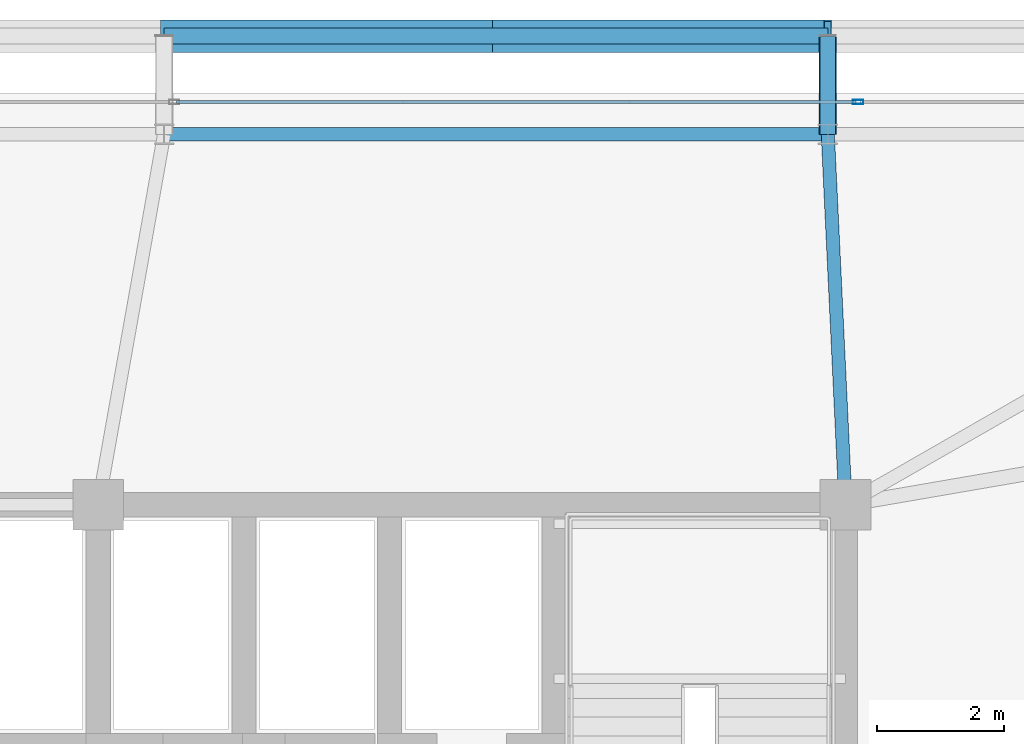
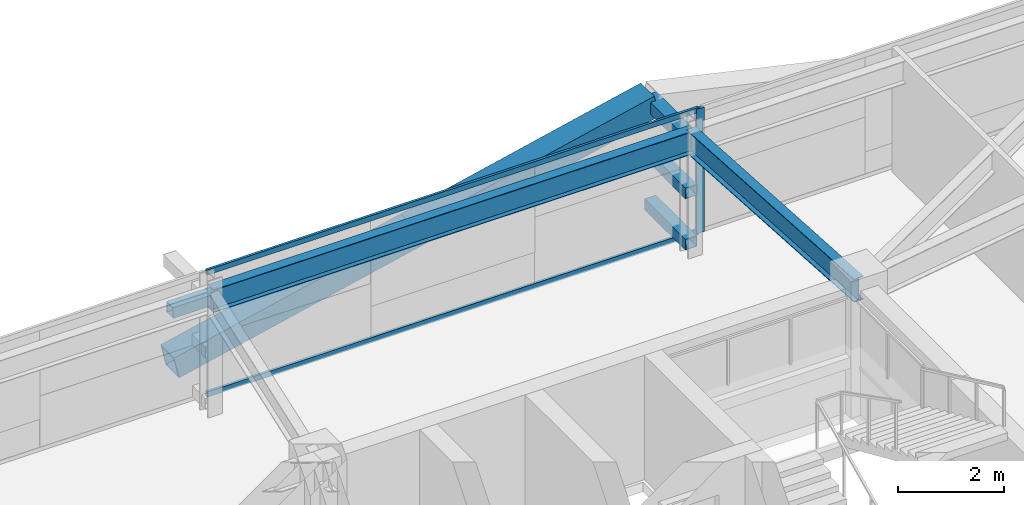
# One storey, part 26 of 45: 9 members, 2 beams, 1 element without a shape of its own.
"""IFC4 building model written with IfcOpenShell, lengths in metres."""

from ifc_helpers import new_model, si_unit, direction, frame, origin, origin_2d, place, context, subcontext, project, spatial, hollow_rectangle, i_section, extrude, source, transform, mapped, material, layer, layer_set, material_profile, profile_set, type_object, element, aggregate, save


model = new_model("IFC4")

# Units and contexts
model_context = context("Model", 3, precision=1e-05, world=origin(), true_north=direction((0.0, 1.0)))
body_context = subcontext(model_context, "Body", "Model", "MODEL_VIEW")
ifc_project = project(units=[si_unit("LENGTHUNIT", "METRE"), si_unit("AREAUNIT", "SQUARE_METRE"), si_unit("VOLUMEUNIT", "CUBIC_METRE"), si_unit("PLANEANGLEUNIT", "RADIAN"), si_unit("MASSUNIT", "GRAM", prefix="KILO")], contexts=[model_context])

# Site, building, storey
site_placement = place(None, origin())
site = spatial("IfcSite", under=ifc_project, at=site_placement, CompositionType="ELEMENT")
building_placement = place(site_placement, origin())
building = spatial("IfcBuilding", under=site, at=building_placement, Name="Taldren Reach Tower", CompositionType="ELEMENT")
storey_placement = place(building_placement, frame((0.0, 0.0, 57.75)))
storey = spatial("IfcBuildingStorey", under=building, at=storey_placement, Name="L17", CompositionType="ELEMENT", Elevation=57.75)

# Beams
ifc_material_1 = material(Name="Steel Gr 350 (350PLUS)", Category="steel")
ifc_material_profile_1 = material_profile(ifc_material_1, i_section(OverallWidth=0.208984375, OverallDepth=0.528076171875, WebThickness=0.009521484375, FlangeThickness=0.01318359375, at=origin_2d()), Name="530UB82.0")
ifc_profile_set_1 = profile_set([ifc_material_profile_1], Name="Steel Gr 350 (350PLUS)")
beam_type_1 = type_object("IfcBeamType", Name="SP-UB530B", PredefinedType="SPANDREL", material=ifc_profile_set_1)
shared_shape_1 = source(origin(), body_context, "Body", "SweptSolid", [
    extrude(i_section(OverallWidth=0.208984375, OverallDepth=0.528076171875, WebThickness=0.009521484375, FlangeThickness=0.01318359375, at=origin_2d()), origin(), (0.0, 0.0, 1.0), 10.47998046875),
])
beam_1_placement = place(storey_placement, frame((50.719970703125, 37.85009765625, 2.60595703125), z_axis=(-1.0, 0.0, 0.0), x_axis=(0.0, -1.0, 0.0)))
element("IfcBeam", 1, at=beam_1_placement, inside=storey, type_object=beam_type_1, Name="Perimeter spandrel B1 N5-N4 L17", PredefinedType="SPANDREL", context=body_context, shape_type="MappedRepresentation", body=[
    mapped(shared_shape_1, transform((0.0, 0.0, 0.0), scale=1.0)),
])
ifc_material_profile_2 = material_profile(ifc_material_1, i_section(OverallWidth=0.208984375, OverallDepth=0.532958984375, WebThickness=0.01025390625, FlangeThickness=0.015625, at=origin_2d()), Name="530UB92.4")
ifc_profile_set_2 = profile_set([ifc_material_profile_2], Name="Steel Gr 350 (350PLUS)")
beam_type_2 = type_object("IfcBeamType", Name="BM-UB530A", PredefinedType="BEAM", material=ifc_profile_set_2)
shared_shape_2 = source(origin(), body_context, "Body", "SweptSolid", [
    extrude(i_section(OverallWidth=0.208984375, OverallDepth=0.532958984375, WebThickness=0.01025390625, FlangeThickness=0.015625, at=origin_2d()), origin(), (0.0, 0.0, 1.0), 5.856689453125),
])
beam_2_placement = place(storey_placement, frame((51.0, 32.0, 2.603515625), z_axis=(-0.047812711672, 0.998856318297, 0.0), x_axis=(-0.998856318297, -0.047812711672, 0.0)))
element("IfcBeam", 2, at=beam_2_placement, inside=storey, type_object=beam_type_2, Name="Primary floor girder B1-N5 L17", PredefinedType="BEAM", context=body_context, shape_type="MappedRepresentation", body=[
    mapped(shared_shape_2, transform((0.0, 0.0, 0.0), scale=1.0)),
])

# Members
ifc_material_2 = material(Name="Steel Gr 450 (C450L0)", Category="steel")
ifc_material_profile_3 = material_profile(ifc_material_2, hollow_rectangle(XDim=0.27490234375, YDim=0.27490234375, WallThickness=0.00927734375, at=origin_2d()), Name="275x275x9.3SHS")
ifc_profile_set_3 = profile_set([ifc_material_profile_3], Name="Steel Gr 450 (C450L0)")
member_type_1 = type_object("IfcMemberType", Name="MB-TIE273", PredefinedType="STRUT", material=ifc_profile_set_3)
shared_shape_3 = source(origin(), body_context, "Body", "SweptSolid", [
    extrude(hollow_rectangle(XDim=0.27490234375, YDim=0.27490234375, WallThickness=0.00927734375, at=origin_2d()), origin(), (0.0, 0.0, 1.0), 1.5498046875),
])
member_1_placement = place(storey_placement, frame((50.719970703125, 37.85009765625, 2.590087890625), z_axis=(0.0, 1.0, 0.0), x_axis=(-1.0, 0.0, 0.0)))
element("IfcMember", 3, at=member_1_placement, inside=storey, type_object=member_type_1, Name="Exoskeleton diaphragm tie strut B1-N5 L17", PredefinedType="STRUT", context=body_context, shape_type="MappedRepresentation", body=[
    mapped(shared_shape_3, transform((0.0, 0.0, 0.0), scale=1.0)),
])
ifc_material_3 = material(Name="Steel Gr 350 (C350L0)", Category="steel")
ifc_material_profile_4 = material_profile(ifc_material_3, hollow_rectangle(XDim=0.25, YDim=0.25, WallThickness=0.010009765625, at=origin_2d()), Name="250x250x10.0SHS")
ifc_profile_set_4 = profile_set([ifc_material_profile_4], Name="Steel Gr 350 (C350L0)")
member_type_2 = type_object("IfcMemberType", Name="MB-POST250", PredefinedType="POST", material=ifc_profile_set_4)
shared_shape_4 = source(origin(), body_context, "Body", "SweptSolid", [
    extrude(hollow_rectangle(XDim=0.25, YDim=0.25, WallThickness=0.010009765625, at=origin_2d()), origin(), (0.0, 0.0, 1.0), 10.47998046875),
])
member_2_placement = place(storey_placement, frame((40.239990234375, 39.39990234375, 1.405029296875), z_axis=(1.0, 0.0, 0.0), x_axis=(0.0, 1.0, 0.0)))
element("IfcMember", 4, at=member_2_placement, inside=storey, type_object=member_type_2, Name="Exoskeleton mid-height ring chord B1-N4 L17", PredefinedType="POST", context=body_context, shape_type="MappedRepresentation", body=[
    mapped(shared_shape_4, transform((0.0, 0.0, 0.0), scale=1.0)),
])
shared_shape_5 = source(origin(), body_context, "Body", "SweptSolid", [
    extrude(hollow_rectangle(XDim=0.25, YDim=0.25, WallThickness=0.010009765625, at=origin_2d()), origin(), (0.0, 0.0, 1.0), 1.5498046875),
])
for number, where, z_axis, x_axis, name in (
    (5, (50.719970703125, 37.85009765625, 0.219970703125), (0.0, 1.0, 0.0), (-1.0, 0.0, 0.0), "Exoskeleton base diaphragm tie strut B1-N5 L17"),
    (6, (50.719970703125, 37.85009765625, 1.405029296875), (0.0, 1.0, 0.0), (-1.0, 0.0, 0.0), "Exoskeleton mid-tier diaphragm tie B1-N5 L17"),
):
    element("IfcMember", number, at=place(storey_placement, frame(where, z_axis=z_axis, x_axis=x_axis)), inside=storey, type_object=member_type_2, Name=name, PredefinedType="POST", context=body_context, shape_type="MappedRepresentation", body=[
        mapped(shared_shape_5, transform((0.0, 0.0, 0.0), scale=1.0)),
    ])
ifc_material_profile_5 = material_profile(ifc_material_2, hollow_rectangle(XDim=0.510009765625, YDim=0.510009765625, WallThickness=0.02001953125, at=origin_2d()), Name="510x510x20.0SHS")
ifc_profile_set_5 = profile_set([ifc_material_profile_5], Name="Steel Gr 450 (C450L0)")
member_type_3 = type_object("IfcMemberType", Name="MB-EXO508", PredefinedType="BRACE", material=ifc_profile_set_5)
shared_shape_6 = source(origin(), body_context, "Body", "SweptSolid", [
    extrude(hollow_rectangle(XDim=0.510009765625, YDim=0.510009765625, WallThickness=0.02001953125, at=origin_2d()), origin(), (0.0, 0.0, 1.0), 5.372314453125),
])
for number, where, z_axis, x_axis, name in (
    (7, (40.239990234375, 39.39990234375, 0.219970703125), (0.975367562392, 0.0, 0.220585852297), (0.0, 1.0, 0.0), "Exoskeleton Diagrid Brace B1-N4 L17"),
    (8, (45.47998046875, 39.39990234375, 1.405029296875), (0.975367562392, 0.0, 0.220585852297), (0.0, 1.0, 0.0), "Exoskeleton Diagrid Brace B1-N4 L17"),
):
    element("IfcMember", number, at=place(storey_placement, frame(where, z_axis=z_axis, x_axis=x_axis)), inside=storey, type_object=member_type_3, Name=name, PredefinedType="BRACE", context=body_context, shape_type="MappedRepresentation", body=[
        mapped(shared_shape_6, transform((0.0, 0.0, 0.0), scale=1.0)),
    ])

# Curtain wall, members
ifc_material_4 = material(Name="Aluminium and Low-E Glass Unitised System", Category="aluminium")
ifc_layer = layer(ifc_material_4, 0.159912109375)
ifc_layer_set = layer_set([ifc_layer], Name="Aluminium and Low-E Glass Unitised System")
curtain_wall_type = type_object("IfcCurtainWallType", Name="CW-SYS-2", PredefinedType="NOTDEFINED", material=ifc_layer_set)
curtain_wall_placement = place(storey_placement, origin())
curtain_wall = element("IfcCurtainWall", 9, at=curtain_wall_placement, inside=storey, type_object=curtain_wall_type, Name="Unitised curtain wall CW-L17-N", PredefinedType="NOTDEFINED")
ifc_material_5 = material(Name="Anodised Aluminium 6063-T6", Category="aluminium")
ifc_material_profile_6 = material_profile(ifc_material_5, hollow_rectangle(XDim=0.054931640625, YDim=0.1201171875, WallThickness=0.0029296875, at=origin_2d()), Name="ALU-120x55x3RHS")
ifc_profile_set_6 = profile_set([ifc_material_profile_6], Name="Anodised Aluminium 6063-T6")
member_type_4 = type_object("IfcMemberType", Name="CW-TRN-135", PredefinedType="USERDEFINED", material=ifc_profile_set_6)
shared_shape_7 = source(origin(), body_context, "Body", "SweptSolid", [
    extrude(hollow_rectangle(XDim=0.054931640625, YDim=0.1201171875, WallThickness=0.0029296875, at=origin_2d()), origin(), (0.0, 0.0, 1.0), 10.73486328125),
])
member_3_placement = place(storey_placement, frame((51.16748046875, 38.360107421875, 0.027587890625), z_axis=(-1.0, 0.0, 0.0), x_axis=(0.0, -1.0, 0.0)))
member_3 = element("IfcMember", 10, at=member_3_placement, type_object=member_type_4, Name="CW-2 transom 2.1", ObjectType="TRANSOM", PredefinedType="USERDEFINED", context=body_context, shape_type="MappedRepresentation", body=[
    mapped(shared_shape_7, transform((0.0, 0.0, 0.0), scale=1.0)),
])
member_4_placement = place(storey_placement, frame((51.16748046875, 38.360107421875, 2.842529296875), z_axis=(-1.0, 0.0, 0.0), x_axis=(0.0, -1.0, 0.0)))
member_4 = element("IfcMember", 11, at=member_4_placement, type_object=member_type_4, Name="CW-2 transom 2.2", ObjectType="TRANSOM", PredefinedType="USERDEFINED", context=body_context, shape_type="MappedRepresentation", body=[
    mapped(shared_shape_7, transform((0.0, 0.0, 0.0), scale=1.0)),
])
ifc_material_profile_7 = material_profile(ifc_material_5, hollow_rectangle(XDim=0.06494140625, YDim=0.1650390625, WallThickness=0.00390625, at=origin_2d()), Name="ALU-165x65x4RHS")
ifc_profile_set_7 = profile_set([ifc_material_profile_7], Name="Anodised Aluminium 6063-T6")
member_type_5 = type_object("IfcMemberType", Name="CW-MUL-165", PredefinedType="MULLION", material=ifc_profile_set_7)
shared_shape_8 = source(origin(), body_context, "Body", "SweptSolid", [
    extrude(hollow_rectangle(XDim=0.06494140625, YDim=0.1650390625, WallThickness=0.00390625, at=origin_2d()), origin(), (0.0, 0.0, 1.0), 2.8701171875),
])
member_5_placement = place(storey_placement, frame((51.199951171875, 38.360107421875, 0.0), z_axis=(0.0, 0.0, 1.0), x_axis=(0.0, -1.0, 0.0)))
member_5 = element("IfcMember", 12, at=member_5_placement, type_object=member_type_5, Name="CW-2 mullion 2", PredefinedType="MULLION", context=body_context, shape_type="MappedRepresentation", body=[
    mapped(shared_shape_8, transform((0.0, 0.0, 0.0), scale=1.0)),
])
aggregate(curtain_wall, [member_5, member_3, member_4])

save(model, "model.ifc")
